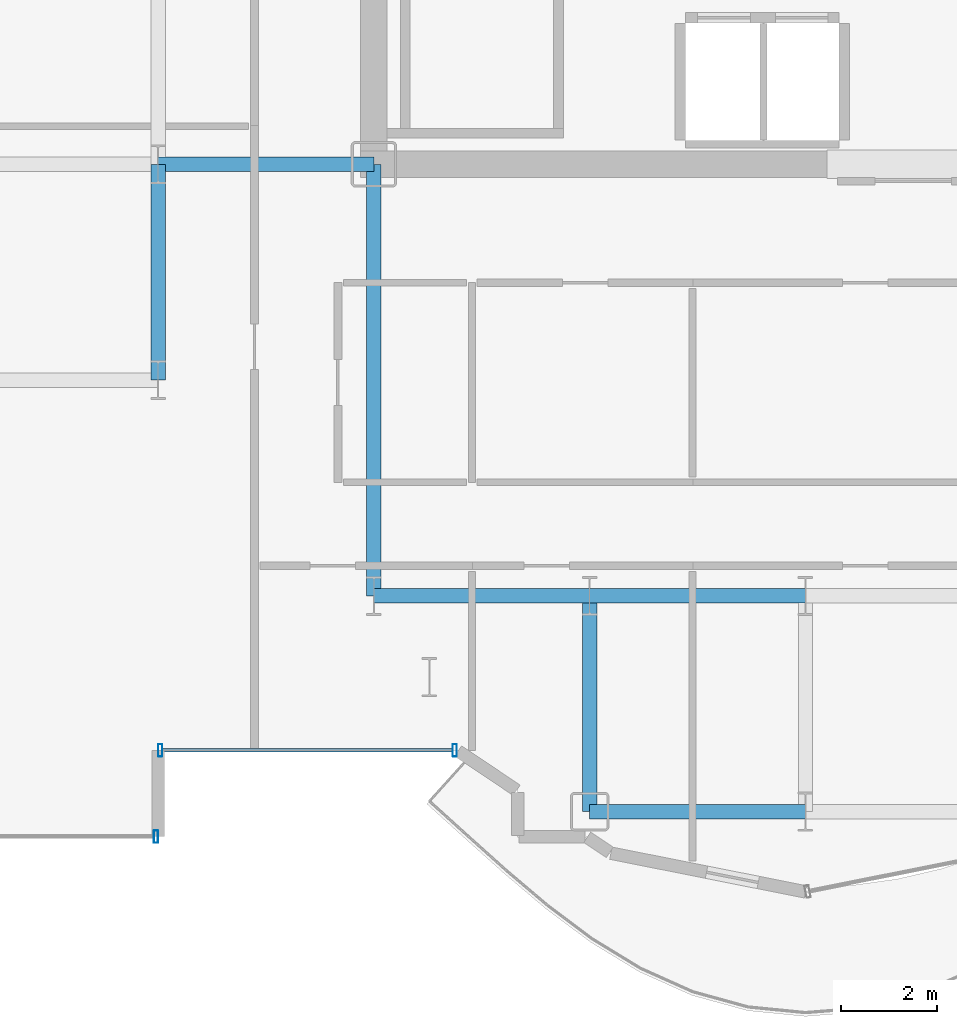
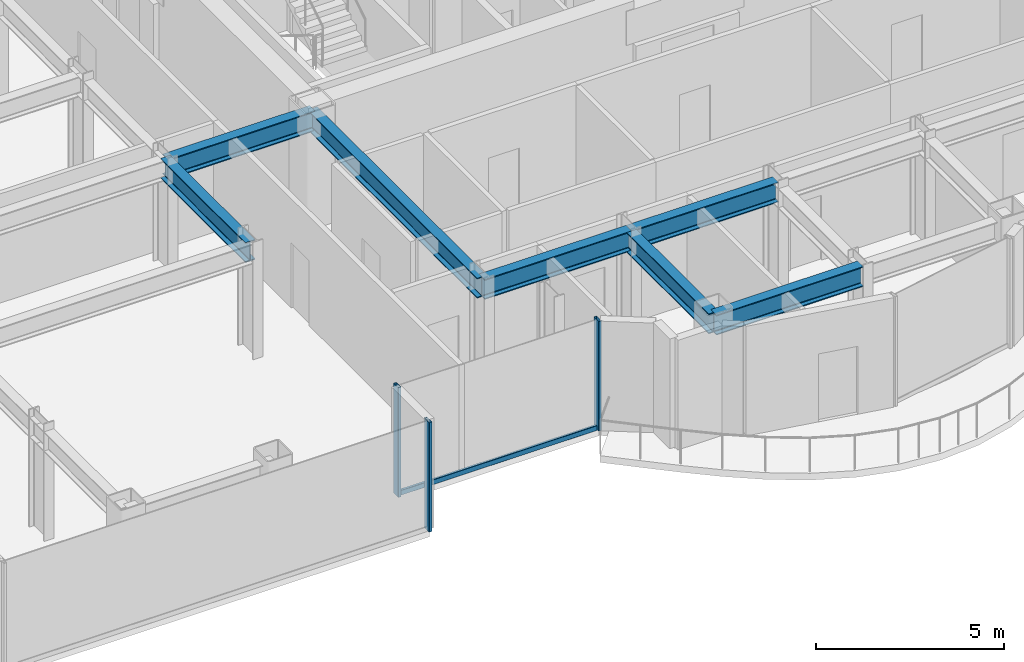
# One storey, part 5 of 23: 7 beams, 4 members, 2 elements without a shape of their own.
"""IFC4 building model written with IfcOpenShell, lengths in metres."""

from ifc_helpers import new_model, si_unit, direction, frame, origin, origin_2d, place, context, subcontext, project, spatial, hollow_rectangle, i_section, extrude, source, transform, mapped, material, layer, layer_set, material_profile, profile_set, type_object, element, aggregate, save


model = new_model("IFC4")

# Units and contexts
model_context = context("Model", 3, precision=1e-05, world=origin(), true_north=direction((0.0, 1.0)))
body_context = subcontext(model_context, "Body", "Model", "MODEL_VIEW")
ifc_project = project(units=[si_unit("LENGTHUNIT", "METRE"), si_unit("AREAUNIT", "SQUARE_METRE"), si_unit("VOLUMEUNIT", "CUBIC_METRE"), si_unit("PLANEANGLEUNIT", "RADIAN"), si_unit("MASSUNIT", "GRAM", prefix="KILO")], contexts=[model_context])

# Site, building, storey
site_placement = place(None, origin())
site = spatial("IfcSite", under=ifc_project, at=site_placement, CompositionType="ELEMENT")
building_placement = place(site_placement, origin())
building = spatial("IfcBuilding", under=site, at=building_placement, Name="Nefas-Gora Pilgrimage Tower", CompositionType="ELEMENT")
storey_placement = place(building_placement, frame((0.0, 0.0, 156.39990234375)))
storey = spatial("IfcBuildingStorey", under=building, at=storey_placement, Name="L38", CompositionType="ELEMENT", Elevation=156.39990234375)

# Beams
ifc_material_1 = material(Name="Steel S355", Category="steel")
ifc_material_profile_1 = material_profile(ifc_material_1, i_section(OverallWidth=0.300048828125, OverallDepth=0.64990234375, WebThickness=0.01611328125, FlangeThickness=0.031005859375, FilletRadius=0.027099609375, at=origin_2d()), Name="HEB 650")
ifc_profile_set_1 = profile_set([ifc_material_profile_1], Name="Steel S355")
beam_type = type_object("IfcBeamType", Name="BM-GIR-HEB650", PredefinedType="BEAM", material=ifc_profile_set_1)
shared_shape_1 = source(origin(), body_context, "Body", "SweptSolid", [
    extrude(i_section(OverallWidth=0.300048828125, OverallDepth=0.64990234375, WebThickness=0.01611328125, FlangeThickness=0.031005859375, FilletRadius=0.027099609375, at=origin_2d()), origin(), (0.0, 0.0, 1.0), 9.0),
])
beam_placement = place(storey_placement, frame((-11.25, -18.0, 3.22509765625), z_axis=(0.0, 1.0, 0.0), x_axis=(-1.0, 0.0, 0.0)))
element("IfcBeam", 1, at=beam_placement, inside=storey, type_object=beam_type, Name="L38 G-03 beam", PredefinedType="BEAM", context=body_context, shape_type="MappedRepresentation", body=[
    mapped(shared_shape_1, transform((0.0, 0.0, 0.0), x_axis=(1.0, 0.0, 0.0), y_axis=(0.0, 1.0, 0.0), z_axis=(0.0, 0.0, 1.0), scale=1.0)),
])
shared_shape_2 = source(origin(), body_context, "Body", "SweptSolid", [
    extrude(i_section(OverallWidth=0.300048828125, OverallDepth=0.64990234375, WebThickness=0.01611328125, FlangeThickness=0.031005859375, FilletRadius=0.027099609375, at=origin_2d()), origin(), (0.0, 0.0, 1.0), 4.5),
])
for number, where, z_axis, x_axis, name in (
    (2, (-15.75, -13.5, 3.22509765625), (0.0, 1.0, 0.0), (-1.0, 0.0, 0.0), "L38 G-03 beam"),
    (3, (-15.75, -9.0, 3.22509765625), (1.0, 0.0, 0.0), (0.0, 1.0, 0.0), "L38 G-03 beam"),
    (4, (-11.25, -18.0, 3.22509765625), (1.0, 0.0, 0.0), (0.0, 1.0, 0.0), "L38 G-03 beam"),
    (5, (-6.75, -22.5, 3.22509765625), (0.0, 1.0, 0.0), (-1.0, 0.0, 0.0), "L38 G-03 beam"),
    (6, (-6.75, -22.5, 3.22509765625), (1.0, 0.0, 0.0), (0.0, 1.0, 0.0), "L38 G-03 beam"),
    (7, (-6.75, -18.0, 3.22509765625), (1.0, 0.0, 0.0), (0.0, 1.0, 0.0), "L38 G-03 beam"),
):
    element("IfcBeam", number, at=place(storey_placement, frame(where, z_axis=z_axis, x_axis=x_axis)), inside=storey, type_object=beam_type, Name=name, PredefinedType="BEAM", context=body_context, shape_type="MappedRepresentation", body=[
        mapped(shared_shape_2, transform((0.0, 0.0, 0.0), x_axis=(1.0, 0.0, 0.0), y_axis=(0.0, 1.0, 0.0), z_axis=(0.0, 0.0, 1.0), scale=1.0)),
    ])

# Curtain wall, members
ifc_material_2 = material(Name="Dark ceramic-fritted solar-control aluminium-glass curtain wall", Category="aluminium")
ifc_layer_1 = layer(ifc_material_2, 0.219970703125)
ifc_layer_set_1 = layer_set([ifc_layer_1], Name="Dark ceramic-fritted solar-control aluminium-glass curtain wall")
curtain_wall_type_1 = type_object("IfcCurtainWallType", Name="CW-SYS-5", PredefinedType="NOTDEFINED", material=ifc_layer_set_1)
curtain_wall_1_placement = place(storey_placement, origin())
curtain_wall_1 = element("IfcCurtainWall", 8, at=curtain_wall_1_placement, inside=storey, type_object=curtain_wall_type_1, Name="L38 Unitised Curtain Wall CW5", PredefinedType="NOTDEFINED")
ifc_material_3 = material(Name="Anodised architectural aluminium", Category="aluminium")
ifc_material_profile_2 = material_profile(ifc_material_3, hollow_rectangle(XDim=0.090087890625, YDim=0.260009765625, WallThickness=0.006103515625, InnerFilletRadius=0.006103515625, OuterFilletRadius=0.011962890625, at=origin_2d()), Name="ALU MULLION 90x260")
ifc_profile_set_2 = profile_set([ifc_material_profile_2], Name="Anodised architectural aluminium")
member_type_1 = type_object("IfcMemberType", Name="CWM-MUL-5", PredefinedType="MULLION", material=ifc_profile_set_2)
shared_shape_3 = source(origin(), body_context, "Body", "SweptSolid", [
    extrude(hollow_rectangle(XDim=0.090087890625, YDim=0.260009765625, WallThickness=0.006103515625, InnerFilletRadius=0.006103515625, OuterFilletRadius=0.011962890625, at=origin_2d()), origin(), (0.0, 0.0, 1.0), 3.550048828125),
])
member_1_placement = place(storey_placement, frame((-15.705078125, -21.219970703125, 0.0), z_axis=(0.0, 0.0, 1.0), x_axis=(1.0, 0.0, 0.0)))
member_1 = element("IfcMember", 9, at=member_1_placement, type_object=member_type_1, Name="CW5 Mullion 1", PredefinedType="MULLION", context=body_context, shape_type="MappedRepresentation", body=[
    mapped(shared_shape_3, transform((0.0, 0.0, 0.0), x_axis=(1.0, 0.0, 0.0), y_axis=(0.0, 1.0, 0.0), z_axis=(0.0, 0.0, 1.0), scale=1.0)),
])
member_2_placement = place(storey_placement, frame((-9.56298828125, -21.219970703125, 0.0), z_axis=(0.0, 0.0, 1.0), x_axis=(1.0, 0.0, 0.0)))
member_2 = element("IfcMember", 10, at=member_2_placement, type_object=member_type_1, Name="CW5 Mullion 2", PredefinedType="MULLION", context=body_context, shape_type="MappedRepresentation", body=[
    mapped(shared_shape_3, transform((0.0, 0.0, 0.0), x_axis=(1.0, 0.0, 0.0), y_axis=(0.0, 1.0, 0.0), z_axis=(0.0, 0.0, 1.0), scale=1.0)),
])
ifc_material_profile_3 = material_profile(ifc_material_3, hollow_rectangle(XDim=0.080078125, YDim=0.159912109375, WallThickness=0.00439453125, InnerFilletRadius=0.00439453125, OuterFilletRadius=0.009033203125, at=origin_2d()), Name="ALU TRANSOM 80x160")
ifc_profile_set_3 = profile_set([ifc_material_profile_3], Name="Anodised architectural aluminium")
member_type_2 = type_object("IfcMemberType", Name="CWM-TRN-5", PredefinedType="USERDEFINED", material=ifc_profile_set_3)
shared_shape_4 = source(origin(), body_context, "Body", "SweptSolid", [
    extrude(hollow_rectangle(XDim=0.080078125, YDim=0.159912109375, WallThickness=0.00439453125, InnerFilletRadius=0.00439453125, OuterFilletRadius=0.009033203125, at=origin_2d()), origin(), (0.0, 0.0, 1.0), 6.052001953125),
])
member_3_placement = place(storey_placement, frame((-15.659912109375, -21.219970703125, 0.050048828125), z_axis=(1.0, 0.0, 0.0), x_axis=(0.0, 1.0, 0.0)))
member_3 = element("IfcMember", 11, at=member_3_placement, type_object=member_type_2, Name="CW5 Spandrel Transom", ObjectType="TRANSOM", PredefinedType="USERDEFINED", context=body_context, shape_type="MappedRepresentation", body=[
    mapped(shared_shape_4, transform((0.0, 0.0, 0.0), x_axis=(1.0, 0.0, 0.0), y_axis=(0.0, 1.0, 0.0), z_axis=(0.0, 0.0, 1.0), scale=1.0)),
])
aggregate(curtain_wall_1, [member_1, member_2, member_3])

# Curtain wall, member
ifc_layer_2 = layer(ifc_material_2, 0.219970703125)
ifc_layer_set_2 = layer_set([ifc_layer_2], Name="Dark ceramic-fritted solar-control aluminium-glass curtain wall")
curtain_wall_type_2 = type_object("IfcCurtainWallType", Name="CW-SYS-3", PredefinedType="NOTDEFINED", material=ifc_layer_set_2)
curtain_wall_2_placement = place(storey_placement, origin())
curtain_wall_2 = element("IfcCurtainWall", 12, at=curtain_wall_2_placement, inside=storey, type_object=curtain_wall_type_2, Name="L38 Unitised Curtain Wall CW3", PredefinedType="NOTDEFINED")
ifc_material_profile_4 = material_profile(ifc_material_3, hollow_rectangle(XDim=0.090087890625, YDim=0.260009765625, WallThickness=0.006103515625, InnerFilletRadius=0.006103515625, OuterFilletRadius=0.011962890625, at=origin_2d()), Name="ALU MULLION 90x260")
ifc_profile_set_4 = profile_set([ifc_material_profile_4], Name="Anodised architectural aluminium")
member_type_3 = type_object("IfcMemberType", Name="CWM-MUL-3", PredefinedType="MULLION", material=ifc_profile_set_4)
shared_shape_5 = source(origin(), body_context, "Body", "SweptSolid", [
    extrude(hollow_rectangle(XDim=0.090087890625, YDim=0.260009765625, WallThickness=0.006103515625, InnerFilletRadius=0.006103515625, OuterFilletRadius=0.011962890625, at=origin_2d()), origin(), (0.0, 0.0, 1.0), 3.550048828125),
])
member_4_placement = place(storey_placement, frame((-15.794921875, -23.02001953125, 0.0), z_axis=(0.0, 0.0, 1.0), x_axis=(1.0, 0.0, 0.0)))
member_4 = element("IfcMember", 13, at=member_4_placement, type_object=member_type_3, Name="CW3 Mullion 2", PredefinedType="MULLION", context=body_context, shape_type="MappedRepresentation", body=[
    mapped(shared_shape_5, transform((0.0, 0.0, 0.0), x_axis=(1.0, 0.0, 0.0), y_axis=(0.0, 1.0, 0.0), z_axis=(0.0, 0.0, 1.0), scale=1.0)),
])
aggregate(curtain_wall_2, [member_4])

save(model, "model.ifc")
